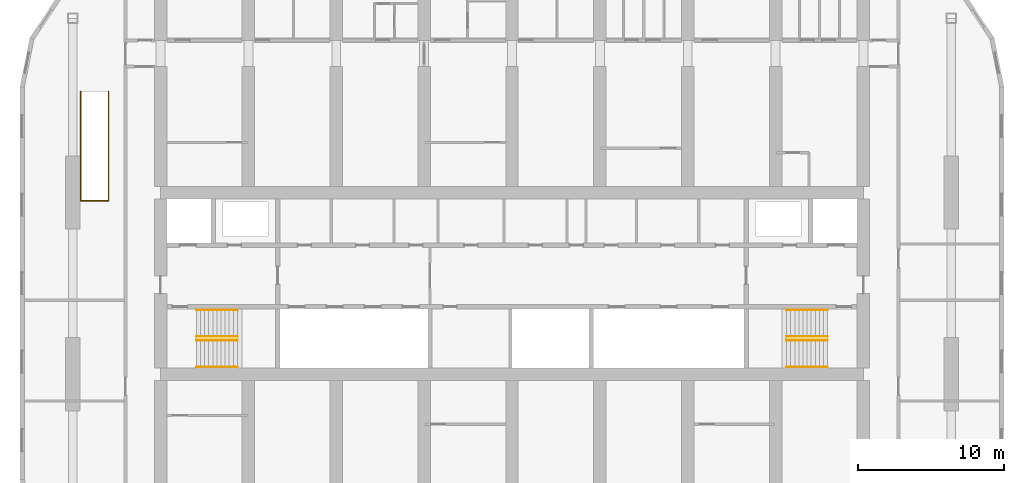
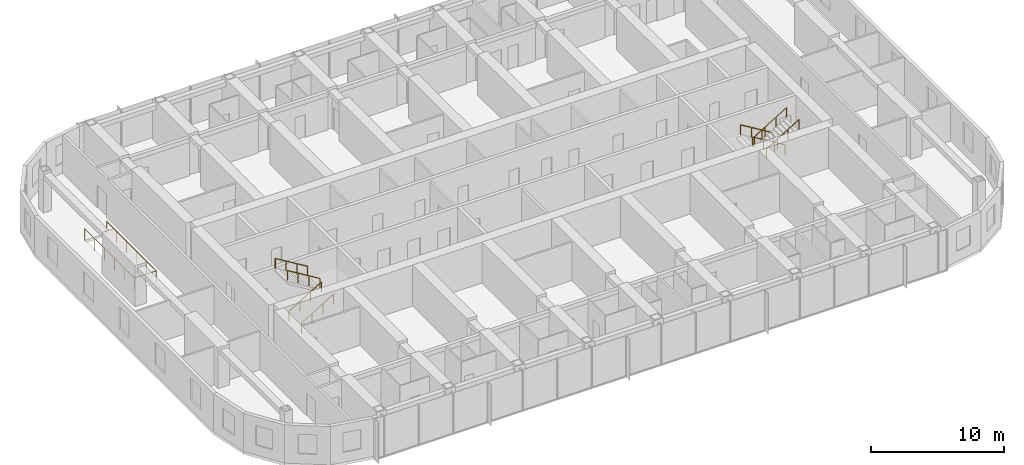
# One storey, part 22 of 22: 9 railings.
"""IFC4 building model written with IfcOpenShell, lengths in metres."""

from ifc_helpers import new_model, si_unit, direction, frame, origin, origin_2d, place, context, subcontext, project, spatial, circle, extrude, material, type_object, element, save


model = new_model("IFC4")

# Units and contexts
model_context = context("Model", 3, precision=1e-05, world=origin(), true_north=direction((0.0, 1.0)))
body_context = subcontext(model_context, "Body", "Model", "MODEL_VIEW")
ifc_project = project(units=[si_unit("LENGTHUNIT", "METRE"), si_unit("AREAUNIT", "SQUARE_METRE"), si_unit("VOLUMEUNIT", "CUBIC_METRE"), si_unit("PLANEANGLEUNIT", "RADIAN"), si_unit("MASSUNIT", "GRAM", prefix="KILO")], contexts=[model_context])

# Site, building, storey
site_placement = place(None, origin())
site = spatial("IfcSite", under=ifc_project, at=site_placement, CompositionType="ELEMENT")
building_placement = place(site_placement, origin())
building = spatial("IfcBuilding", under=site, at=building_placement, Name="Orbita Commons", CompositionType="ELEMENT")
storey_placement = place(building_placement, frame((0.0, 0.0, 167.35009765625)))
storey = spatial("IfcBuildingStorey", under=building, at=storey_placement, Name="L41", CompositionType="ELEMENT", Elevation=167.35009765625)

# Railings
ifc_material_1 = material(Name="Steel tube, painted", Category="steel")
railing_type_1 = type_object("IfcRailingType", Name="Stair handrail steel tube 900", PredefinedType="HANDRAIL", material=ifc_material_1)
for number, where, name in (
    (1, (20.449951171875, 28.114990234375, 0.17041015625), "Stair S1 handrail L41 flight 1"),
    (2, (20.449951171875, 26.284912109375, 0.17041015625), "Stair S1 handrail L41 flight 1"),
):
    element("IfcRailing", number, at=place(storey_placement, frame(where)), inside=storey, type_object=railing_type_1, Name=name, PredefinedType="HANDRAIL", context=body_context, shape_type="SweptSolid", body=[
        extrude(circle(Radius=0.02099609375, at=origin_2d()), frame((0.0, 0.0, 0.87890625), z_axis=(0.854169791009, 0.0, 0.51999420009), x_axis=(0.0, 1.0, 0.0)), (0.0, 0.0, 1.0), 3.278076171875),
        extrude(circle(Radius=0.02001953125, at=origin_2d()), origin(), (0.0, 0.0, 1.0), 0.85791015625),
        extrude(circle(Radius=0.02001953125, at=origin_2d()), frame((0.933349609375, 0.0, 0.568115234375)), (0.0, 0.0, 1.0), 0.85791015625),
        extrude(circle(Radius=0.02001953125, at=origin_2d()), frame((1.86669921875, 0.0, 1.136474609375)), (0.0, 0.0, 1.0), 0.85791015625),
        extrude(circle(Radius=0.02001953125, at=origin_2d()), frame((2.800048828125, 0.0, 1.70458984375)), (0.0, 0.0, 1.0), 0.85791015625),
    ])
for number, where, name in (
    (3, (23.25, 28.360107421875, 2.04541015625), "Stair S1 handrail L41 flight 2"),
    (4, (23.25, 30.18994140625, 2.04541015625), "Stair S1 handrail L41 flight 2"),
    (5, (63.550048828125, 28.360107421875, 0.17041015625), "Stair S2 handrail L41 flight 1"),
    (6, (63.550048828125, 30.18994140625, 0.17041015625), "Stair S2 handrail L41 flight 1"),
):
    element("IfcRailing", number, at=place(storey_placement, frame(where)), inside=storey, type_object=railing_type_1, Name=name, PredefinedType="HANDRAIL", context=body_context, shape_type="SweptSolid", body=[
        extrude(circle(Radius=0.02099609375, at=origin_2d()), frame((0.0, 0.0, 0.87890625), z_axis=(-0.854169791009, 0.0, 0.51999420009), x_axis=(0.0, -1.0, 0.0)), (0.0, 0.0, 1.0), 3.278076171875),
        extrude(circle(Radius=0.02001953125, at=origin_2d()), origin(), (0.0, 0.0, 1.0), 0.85791015625),
        extrude(circle(Radius=0.02001953125, at=origin_2d()), frame((-0.933349609375, 0.0, 0.568115234375)), (0.0, 0.0, 1.0), 0.85791015625),
        extrude(circle(Radius=0.02001953125, at=origin_2d()), frame((-1.86669921875, 0.0, 1.136474609375)), (0.0, 0.0, 1.0), 0.85791015625),
        extrude(circle(Radius=0.02001953125, at=origin_2d()), frame((-2.800048828125, 0.0, 1.70458984375)), (0.0, 0.0, 1.0), 0.85791015625),
    ])
for number, where, name in (
    (7, (60.75, 28.114990234375, 2.04541015625), "Stair S2 handrail L41 flight 2"),
    (8, (60.75, 26.284912109375, 2.04541015625), "Stair S2 handrail L41 flight 2"),
):
    element("IfcRailing", number, at=place(storey_placement, frame(where)), inside=storey, type_object=railing_type_1, Name=name, PredefinedType="HANDRAIL", context=body_context, shape_type="SweptSolid", body=[
        extrude(circle(Radius=0.02099609375, at=origin_2d()), frame((0.0, 0.0, 0.87890625), z_axis=(0.854169791009, 0.0, 0.51999420009), x_axis=(0.0, 1.0, 0.0)), (0.0, 0.0, 1.0), 3.278076171875),
        extrude(circle(Radius=0.02001953125, at=origin_2d()), origin(), (0.0, 0.0, 1.0), 0.85791015625),
        extrude(circle(Radius=0.02001953125, at=origin_2d()), frame((0.933349609375, 0.0, 0.568115234375)), (0.0, 0.0, 1.0), 0.85791015625),
        extrude(circle(Radius=0.02001953125, at=origin_2d()), frame((1.86669921875, 0.0, 1.136474609375)), (0.0, 0.0, 1.0), 0.85791015625),
        extrude(circle(Radius=0.02001953125, at=origin_2d()), frame((2.800048828125, 0.0, 1.70458984375)), (0.0, 0.0, 1.0), 0.85791015625),
    ])
ifc_material_2 = material(Name="Laminated glass on steel posts", Category="steel")
railing_type_2 = type_object("IfcRailingType", Name="Void guard, glass on steel posts 1100", PredefinedType="GUARDRAIL", material=ifc_material_2)
railing_placement = place(storey_placement, frame((12.550048828125, 45.10009765625, 0.0)))
element("IfcRailing", 9, at=railing_placement, inside=storey, type_object=railing_type_2, Name="Void guard L41", PredefinedType="GUARDRAIL", context=body_context, shape_type="SweptSolid", body=[
    extrude(circle(Radius=0.02490234375, at=origin_2d()), frame((0.0, 0.0, 1.0751953125), z_axis=(0.0, -1.0, 0.0), x_axis=(1.0, 0.0, 0.0)), (0.0, 0.0, 1.0), 7.4501953125),
    extrude(circle(Radius=0.02490234375, at=origin_2d()), frame((0.0, -7.4501953125, 1.0751953125), z_axis=(1.0, 0.0, 0.0), x_axis=(0.0, 1.0, 0.0)), (0.0, 0.0, 1.0), 1.89990234375),
    extrude(circle(Radius=0.02490234375, at=origin_2d()), frame((1.89990234375, -7.4501953125, 1.0751953125), z_axis=(0.0, 1.0, 0.0), x_axis=(-1.0, 0.0, 0.0)), (0.0, 0.0, 1.0), 7.4501953125),
    extrude(circle(Radius=0.02490234375, at=origin_2d()), origin(), (0.0, 0.0, 1.0), 1.050048828125),
    extrude(circle(Radius=0.02490234375, at=origin_2d()), frame((0.0, -1.489990234375, 0.0)), (0.0, 0.0, 1.0), 1.050048828125),
    extrude(circle(Radius=0.02490234375, at=origin_2d()), frame((0.0, -2.97998046875, 0.0)), (0.0, 0.0, 1.0), 1.050048828125),
    extrude(circle(Radius=0.02490234375, at=origin_2d()), frame((0.0, -4.47021484375, 0.0)), (0.0, 0.0, 1.0), 1.050048828125),
    extrude(circle(Radius=0.02490234375, at=origin_2d()), frame((0.0, -5.960205078125, 0.0)), (0.0, 0.0, 1.0), 1.050048828125),
    extrude(circle(Radius=0.02490234375, at=origin_2d()), frame((0.0, -7.4501953125, 0.0)), (0.0, 0.0, 1.0), 1.050048828125),
    extrude(circle(Radius=0.02490234375, at=origin_2d()), frame((0.949951171875, -7.4501953125, 0.0)), (0.0, 0.0, 1.0), 1.050048828125),
    extrude(circle(Radius=0.02490234375, at=origin_2d()), frame((1.89990234375, -7.4501953125, 0.0)), (0.0, 0.0, 1.0), 1.050048828125),
    extrude(circle(Radius=0.02490234375, at=origin_2d()), frame((1.89990234375, -5.960205078125, 0.0)), (0.0, 0.0, 1.0), 1.050048828125),
    extrude(circle(Radius=0.02490234375, at=origin_2d()), frame((1.89990234375, -4.47021484375, 0.0)), (0.0, 0.0, 1.0), 1.050048828125),
    extrude(circle(Radius=0.02490234375, at=origin_2d()), frame((1.89990234375, -2.97998046875, 0.0)), (0.0, 0.0, 1.0), 1.050048828125),
    extrude(circle(Radius=0.02490234375, at=origin_2d()), frame((1.89990234375, -1.489990234375, 0.0)), (0.0, 0.0, 1.0), 1.050048828125),
    extrude(circle(Radius=0.02490234375, at=origin_2d()), frame((1.89990234375, 0.0, 0.0)), (0.0, 0.0, 1.0), 1.050048828125),
])

save(model, "model.ifc")
